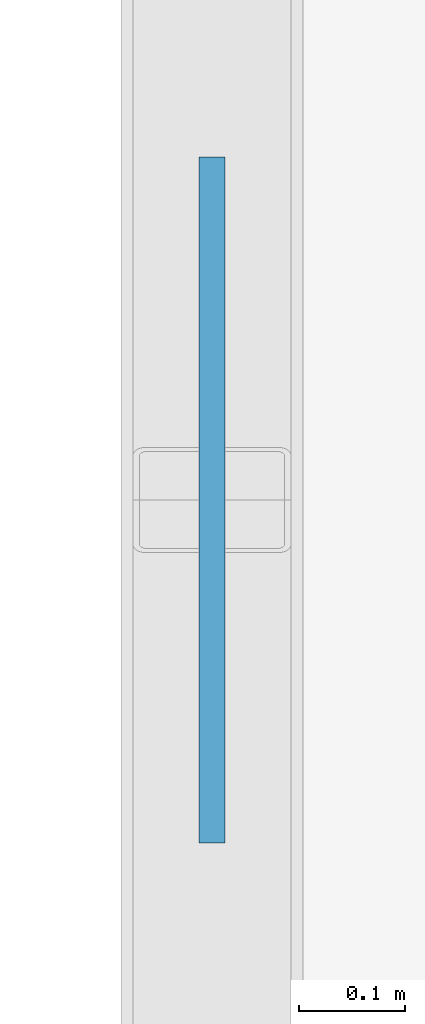
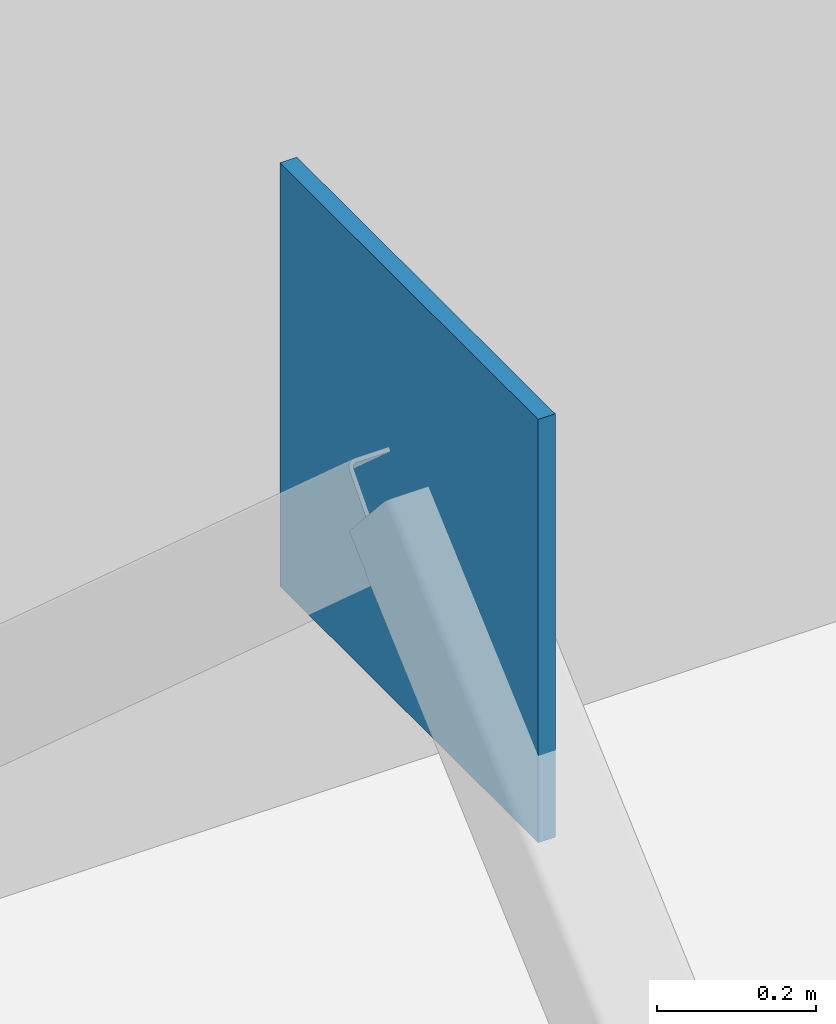
# One storey, part 59 of 85: 1 plate.
"""IFC4 building model written with IfcOpenShell, lengths in metres."""

import ifcopenshell
import ifcopenshell.guid

model = None  # the IFC model being written
_history = None  # IfcOwnerHistory: only IFC2X3 demands one
_inside = {}  # id of a spatial element -> (the spatial element, [elements in it])
_under = {}  # id of a project, library or spatial element -> (it, [spatial elements below it])
_declared = {}  # id of a project -> (the project, [libraries it declares])
_typed = {}  # id of a type object -> (the type object, [elements of that type])
_made_of = {}  # id of a material, layer set ... -> (it, [elements and type objects made of it])


def new_model(schema):
    """Start an empty IFC model of exactly this schema.

    Asked for "IFC4X3", IfcOpenShell would pick the latest addendum, in which some entities
    have other attributes; the version numbers below select the first issue.
    IFC2X3 requires an IfcOwnerHistory on every rooted entity: one is made here for all.
    """
    global model, _history
    if schema == "IFC4X3":
        model = ifcopenshell.file(schema_version=(4, 3, 0, 0))
    else:
        model = ifcopenshell.file(schema=schema)
    _inside.clear()
    _under.clear()
    _declared.clear()
    _typed.clear()
    _made_of.clear()
    _history = None
    if model.schema == "IFC2X3":
        org = make("IfcOrganization", Name="unknown")
        user = make(
            "IfcPersonAndOrganization",
            ThePerson=make("IfcPerson", FamilyName="unknown"),
            TheOrganization=org,
        )
        app = make(
            "IfcApplication",
            ApplicationDeveloper=org,
            Version="unknown",
            ApplicationFullName="unknown",
            ApplicationIdentifier="unknown",
        )
        _history = make(
            "IfcOwnerHistory",
            OwningUser=user,
            OwningApplication=app,
            ChangeAction="ADDED",
            CreationDate=0,
        )
    return model


def make(cls, **values):
    """One entity of the class cls with the attributes given. An attribute that is None is left unset."""
    return model.create_entity(
        cls, **{name: value for name, value in values.items() if value is not None}
    )


def rooted(cls, **values):
    """An entity with a GlobalId (a new one), such as an element, a storey or a relation."""
    return make(cls, GlobalId=ifcopenshell.guid.new(), OwnerHistory=_history, **values)


def si_unit(unit_type, name, prefix=None):
    """IfcSIUnit, for example si_unit("LENGTHUNIT", "METRE", prefix="MILLI")."""
    return make("IfcSIUnit", UnitType=unit_type, Prefix=prefix, Name=name)


def assignment(units):
    """IfcUnitAssignment: the units of a project."""
    return None if units is None else make("IfcUnitAssignment", Units=units)


def point(xyz):
    """IfcCartesianPoint."""
    return None if xyz is None else make("IfcCartesianPoint", Coordinates=xyz)


def direction(xyz):
    """IfcDirection."""
    return None if xyz is None else make("IfcDirection", DirectionRatios=xyz)


def frame(location, z_axis=None, x_axis=None):
    """IfcAxis2Placement3D, a coordinate frame: its origin and axes. An axis left out is left unset."""
    return make(
        "IfcAxis2Placement3D",
        Location=point(location),
        Axis=direction(z_axis),
        RefDirection=direction(x_axis),
    )


def frame_2d(location, x_axis=None):
    """IfcAxis2Placement2D, a coordinate frame in the plane: its origin and x axis."""
    return make(
        "IfcAxis2Placement2D", Location=point(location), RefDirection=direction(x_axis)
    )


def origin():
    """The frame at (0, 0, 0) with its axes left unset."""
    return frame((0.0, 0.0, 0.0))


def origin_2d():
    """The frame at (0, 0) in the plane with its x axis left unset."""
    return frame_2d((0.0, 0.0))


def place(relative_to, where):
    """IfcLocalPlacement: puts the frame where relative to a parent placement (None: the world)."""
    return make(
        "IfcLocalPlacement", PlacementRelTo=relative_to, RelativePlacement=where
    )


def context(
    kind, dimensions, precision=None, world=None, true_north=None, identifier=None
):
    """IfcGeometricRepresentationContext, for example the 3D "Model" context."""
    return make(
        "IfcGeometricRepresentationContext",
        ContextIdentifier=identifier,
        ContextType=kind,
        CoordinateSpaceDimension=dimensions,
        Precision=precision,
        WorldCoordinateSystem=world,
        TrueNorth=true_north,
    )


def subcontext(parent, identifier, kind, view, scale=None):
    """IfcGeometricRepresentationSubContext, for example "Body" below "Model"."""
    return make(
        "IfcGeometricRepresentationSubContext",
        ContextIdentifier=identifier,
        ContextType=kind,
        ParentContext=parent,
        TargetScale=scale,
        TargetView=view,
    )


def project(units=None, contexts=None):
    """IfcProject with its units and contexts."""
    return rooted(
        "IfcProject",
        Name="project",
        RepresentationContexts=contexts,
        UnitsInContext=assignment(units),
    )


def spatial(cls, under=None, at=None, **own):
    """A site, building, storey or space (cls), placed at a placement, below another one or the project."""
    s = rooted(cls, ObjectPlacement=at, **own)
    if under is not None:
        _under.setdefault(under.id(), (under, []))[1].append(s)
    return s


def profile(cls, at=None, kind="AREA", **sizes):
    """A parametric profile (cls). Its sizes go by their IFC names, for example OverallWidth=200.0."""
    return make(cls, ProfileType=kind, Position=at, **sizes)


def rectangle(**sizes):
    """IfcRectangleProfileDef."""
    return profile("IfcRectangleProfileDef", **sizes)


def extrude(swept, where, along, depth):
    """IfcExtrudedAreaSolid: the profile swept, set in the frame where, extruded along a direction by depth."""
    return make(
        "IfcExtrudedAreaSolid",
        SweptArea=swept,
        Position=where,
        ExtrudedDirection=direction(along),
        Depth=depth,
    )


def shape(context_of_items, identifier, shape_type, items):
    """IfcShapeRepresentation: the items that make up one representation, for example the "Body"."""
    return make(
        "IfcShapeRepresentation",
        ContextOfItems=context_of_items,
        RepresentationIdentifier=identifier,
        RepresentationType=shape_type,
        Items=items,
    )


def material(Name=None, Category=None):
    """IfcMaterial."""
    return make("IfcMaterial", Name=Name, Category=Category)


def layer(
    of_material, thickness, ventilated=None, Name=None, Category=None, Priority=None
):
    """IfcMaterialLayer: one layer of a wall or slab, of a material (None: an air gap)."""
    return make(
        "IfcMaterialLayer",
        Material=of_material,
        LayerThickness=thickness,
        IsVentilated=ventilated,
        Name=Name,
        Category=Category,
        Priority=Priority,
    )


def layer_set(layers, Name=None):
    """IfcMaterialLayerSet."""
    return make("IfcMaterialLayerSet", MaterialLayers=layers, LayerSetName=Name)


def made_of(thing, what):
    """Note that an element or type object is made of a material, layer set ...; save() writes the relation."""
    if what is not None:
        _made_of.setdefault(what.id(), (what, []))[1].append(thing)
    return thing


def type_object(cls, material=None, **own):
    """A type object (cls), such as IfcWallType, which elements share."""
    return made_of(rooted(cls, **own), material)


def element(
    cls,
    number,
    at=None,
    inside=None,
    cuts=None,
    type_object=None,
    material=None,
    context=None,
    identifier="Body",
    shape_type=None,
    held_by="IfcProductDefinitionShape",
    body=None,
    shapes=None,
    **own,
):
    """One element of the class cls, such as IfcWall. Its Tag is "e" and its number.

    at: its placement. inside: the storey or other place that contains it. cuts: it is an
    opening in that element (IfcRelVoidsElement). A single representation is given by context,
    identifier, shape_type and body (its items); several are given by shapes. held_by: the class
    of the entity that holds the representations. save() writes the other relations.
    """
    e = rooted(cls, Tag="e%d" % number, ObjectPlacement=at, **own)
    if body is not None:
        shapes = [shape(context, identifier, shape_type, body)]
    if shapes is not None:
        e.Representation = make(held_by, Representations=shapes)
    if inside is not None:
        _inside.setdefault(inside.id(), (inside, []))[1].append(e)
    if cuts is not None:
        rooted(
            "IfcRelVoidsElement", RelatingBuildingElement=cuts, RelatedOpeningElement=e
        )
    if type_object is not None:
        _typed.setdefault(type_object.id(), (type_object, []))[1].append(e)
    return made_of(e, material)


def aggregate(whole, parts):
    """IfcRelAggregates: a whole, such as a stair, and the parts it consists of."""
    return rooted("IfcRelAggregates", RelatingObject=whole, RelatedObjects=parts)


def save(model, path):
    """Write the relations noted so far, then the file.

    IfcRelAggregates (storeys below a building ...), IfcRelContainedInSpatialStructure (elements
    in a storey), IfcRelDefinesByType, IfcRelAssociatesMaterial and IfcRelDeclares: one each for
    every whole, place, type object, material and project.
    """
    for whole, parts in _under.values():
        aggregate(whole, parts)
    for where, things in _inside.values():
        rooted(
            "IfcRelContainedInSpatialStructure",
            RelatedElements=things,
            RelatingStructure=where,
        )
    for kind, things in _typed.values():
        rooted("IfcRelDefinesByType", RelatedObjects=things, RelatingType=kind)
    for what, things in _made_of.values():
        rooted("IfcRelAssociatesMaterial", RelatedObjects=things, RelatingMaterial=what)
    for by, libraries in _declared.values():
        rooted("IfcRelDeclares", RelatingContext=by, RelatedDefinitions=libraries)
    model.write(path)


model = new_model("IFC4")

# Units and contexts
model_context = context("Model", 3, precision=1e-05, world=origin(), true_north=direction((0.0, 1.0)))
body_context = subcontext(model_context, "Body", "Model", "MODEL_VIEW")
ifc_project = project(units=[si_unit("LENGTHUNIT", "METRE"), si_unit("AREAUNIT", "SQUARE_METRE"), si_unit("VOLUMEUNIT", "CUBIC_METRE"), si_unit("PLANEANGLEUNIT", "RADIAN"), si_unit("MASSUNIT", "GRAM", prefix="KILO")], contexts=[model_context])

# Site, building, storey
site_placement = place(None, origin())
site = spatial("IfcSite", under=ifc_project, at=site_placement, CompositionType="ELEMENT")
building_placement = place(site_placement, origin())
building = spatial("IfcBuilding", under=site, at=building_placement, Name="Marnock Terrace Opera House", CompositionType="ELEMENT")
storey_placement = place(building_placement, frame((0.0, 0.0, 10.199951171875)))
storey = spatial("IfcBuildingStorey", under=building, at=storey_placement, Name="L02", CompositionType="ELEMENT", Elevation=10.199951171875)

# Plate
ifc_material = material(Name="Steel Grade 350 (AS/NZS 3679.1)", Category="steel")
ifc_layer = layer(ifc_material, 0.02490234375)
ifc_layer_set = layer_set([ifc_layer], Name="Steel Grade 350 (AS/NZS 3679.1)")
plate_type = type_object("IfcPlateType", Name="PLT-GUSSET-25", PredefinedType="SHEET", material=ifc_layer_set)
plate_placement = place(storey_placement, frame((0.0, 52.5, 3.55517578125), z_axis=(0.0, 0.0, 1.0), x_axis=(0.0, 1.0, 0.0)))
element("IfcPlate", 1, at=plate_placement, inside=storey, type_object=plate_type, Name="L02 chevron brace gusset plate BN-3", PredefinedType="SHEET", context=body_context, shape_type="SweptSolid", body=[
    extrude(rectangle(XDim=0.64990234375, YDim=0.02490234375, at=origin_2d()), origin(), (0.0, 0.0, 1.0), 0.64990234375),
])

save(model, "model.ifc")
